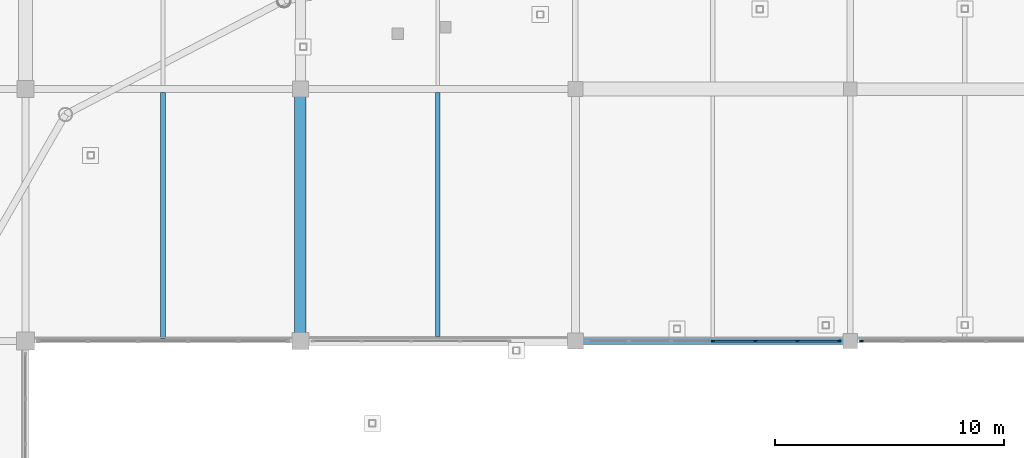
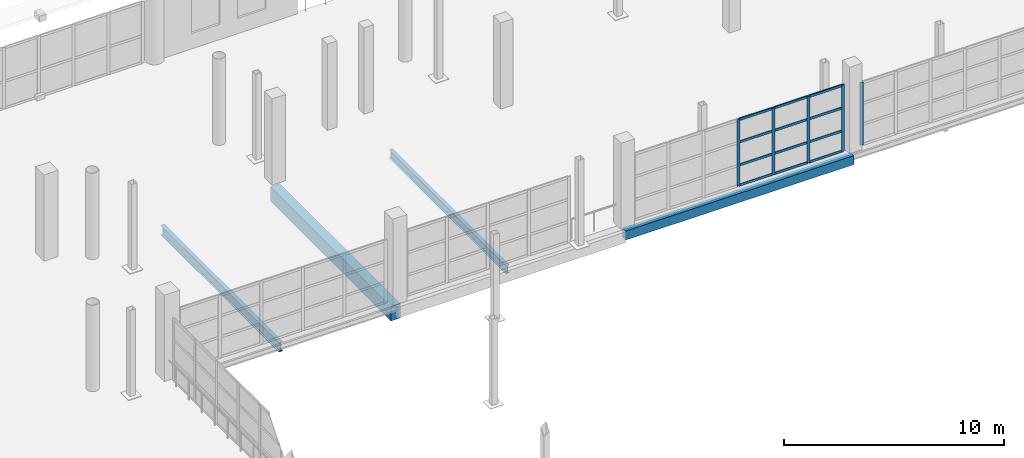
# One storey, part 47 of 143: 17 members, 4 beams, 2 elements without a shape of their own.
"""IFC4 building model written with IfcOpenShell, lengths in metres."""

from ifc_helpers import new_model, si_unit, direction, frame, origin, origin_2d, place, context, subcontext, project, spatial, rectangle, hollow_rectangle, i_section, extrude, material, material_profile, profile_set, type_object, element, aggregate, save


model = new_model("IFC4")

# Units and contexts
model_context = context("Model", 3, precision=1e-05, world=origin(), true_north=direction((0.0, 1.0)))
body_context = subcontext(model_context, "Body", "Model", "MODEL_VIEW")
ifc_project = project(units=[si_unit("LENGTHUNIT", "METRE"), si_unit("AREAUNIT", "SQUARE_METRE"), si_unit("VOLUMEUNIT", "CUBIC_METRE"), si_unit("PLANEANGLEUNIT", "RADIAN"), si_unit("MASSUNIT", "GRAM", prefix="KILO")], contexts=[model_context])

# Site, building, storey
site_placement = place(None, origin())
site = spatial("IfcSite", under=ifc_project, at=site_placement, CompositionType="ELEMENT")
building_placement = place(site_placement, origin())
building = spatial("IfcBuilding", under=site, at=building_placement, Name="Luwafu Chhajja Arena", CompositionType="ELEMENT")
storey_placement = place(building_placement, frame((0.0, 0.0, 5.39990234375)))
storey = spatial("IfcBuildingStorey", under=building, at=storey_placement, Name="L01", CompositionType="ELEMENT", Elevation=5.39990234375)

# Curtain wall, members
ifc_material_1 = material(Name="Anodised bronze aluminium", Category="aluminium")
curtain_wall_type = type_object("IfcCurtainWallType", Name="Bowl Concourse Chord Curtain Wall", PredefinedType="USERDEFINED", material=ifc_material_1)
curtain_wall_1_placement = place(storey_placement, origin())
curtain_wall_1 = element("IfcCurtainWall", 1, at=curtain_wall_1_placement, inside=storey, type_object=curtain_wall_type, Name="L01 Bowl Viewing Curtain Wall CWR-L01-10", ObjectType="CURTAIN WALL", PredefinedType="USERDEFINED")
ifc_material_profile_1 = material_profile(ifc_material_1, rectangle(XDim=0.06005859375, YDim=0.159912109375, at=origin_2d()), Name="CWM 60x160")
ifc_profile_set_1 = profile_set([ifc_material_profile_1], Name="Anodised bronze aluminium")
member_type_1 = type_object("IfcMemberType", Name="Bronze Curtain Wall Mullion 60x160", PredefinedType="MULLION", material=ifc_profile_set_1)
member_1_placement = place(storey_placement, frame((88.012451171875, 77.0, 0.0), z_axis=(0.0, 0.0, 1.0), x_axis=(0.0, 1.0, 0.0)))
member_1 = element("IfcMember", 2, at=member_1_placement, type_object=member_type_1, Name="CW-01 mullion 4", PredefinedType="MULLION", context=body_context, shape_type="SweptSolid", body=[
    extrude(rectangle(XDim=0.06005859375, YDim=0.159912109375, at=origin_2d()), origin(), (0.0, 0.0, 1.0), 3.70654296875),
])
member_2_placement = place(storey_placement, frame((89.853271484375, 77.0, 0.0), z_axis=(0.0, 0.0, 1.0), x_axis=(0.0, 1.0, 0.0)))
member_2 = element("IfcMember", 3, at=member_2_placement, type_object=member_type_1, Name="CW-01 mullion 5", PredefinedType="MULLION", context=body_context, shape_type="SweptSolid", body=[
    extrude(rectangle(XDim=0.06005859375, YDim=0.159912109375, at=origin_2d()), origin(), (0.0, 0.0, 1.0), 3.70654296875),
])
member_3_placement = place(storey_placement, frame((91.694091796875, 77.0, 0.0), z_axis=(0.0, 0.0, 1.0), x_axis=(0.0, 1.0, 0.0)))
member_3 = element("IfcMember", 4, at=member_3_placement, type_object=member_type_1, Name="CW-01 mullion 6", PredefinedType="MULLION", context=body_context, shape_type="SweptSolid", body=[
    extrude(rectangle(XDim=0.06005859375, YDim=0.159912109375, at=origin_2d()), origin(), (0.0, 0.0, 1.0), 3.70654296875),
])
member_4_placement = place(storey_placement, frame((93.5048828125, 77.0, 0.0), z_axis=(0.0, 0.0, 1.0), x_axis=(0.0, 1.0, 0.0)))
member_4 = element("IfcMember", 5, at=member_4_placement, type_object=member_type_1, Name="CW-01 mullion 7", PredefinedType="MULLION", context=body_context, shape_type="SweptSolid", body=[
    extrude(rectangle(XDim=0.06005859375, YDim=0.159912109375, at=origin_2d()), origin(), (0.0, 0.0, 1.0), 3.70654296875),
])

# Curtain wall, member
curtain_wall_2_placement = place(storey_placement, origin())
curtain_wall_2 = element("IfcCurtainWall", 6, at=curtain_wall_2_placement, inside=storey, type_object=curtain_wall_type, Name="L01 Bowl Viewing Curtain Wall CWR-L01-11", ObjectType="CURTAIN WALL", PredefinedType="USERDEFINED")
member_5_placement = place(storey_placement, frame((94.4951171875, 77.0, 0.0), z_axis=(0.0, 0.0, 1.0), x_axis=(0.0, 1.0, 0.0)))
member_5 = element("IfcMember", 7, at=member_5_placement, type_object=member_type_1, Name="CW-01 mullion 1", PredefinedType="MULLION", context=body_context, shape_type="SweptSolid", body=[
    extrude(rectangle(XDim=0.06005859375, YDim=0.159912109375, at=origin_2d()), origin(), (0.0, 0.0, 1.0), 3.489990234375),
])
aggregate(curtain_wall_2, [member_5])

# Member
ifc_material_profile_2 = material_profile(ifc_material_1, rectangle(XDim=0.06005859375, YDim=0.1298828125, at=origin_2d()), Name="CWT 60x130")
ifc_profile_set_2 = profile_set([ifc_material_profile_2], Name="Anodised bronze aluminium")
member_type_2 = type_object("IfcMemberType", Name="Bronze Curtain Wall Transom 60x130", PredefinedType="USERDEFINED", material=ifc_profile_set_2)
member_6_placement = place(storey_placement, frame((88.04248046875, 77.0, 0.030029296875), z_axis=(1.0, 0.0, 0.0), x_axis=(0.0, 1.0, 0.0)))
member_6 = element("IfcMember", 8, at=member_6_placement, type_object=member_type_2, Name="CW-01 transom 4.1", ObjectType="TRANSOM", PredefinedType="USERDEFINED", context=body_context, shape_type="SweptSolid", body=[
    extrude(rectangle(XDim=0.06005859375, YDim=0.1298828125, at=origin_2d()), origin(), (0.0, 0.0, 1.0), 1.78076171875),
])

member_7_placement = place(storey_placement, frame((88.04248046875, 77.0, 1.150146484375), z_axis=(1.0, 0.0, 0.0), x_axis=(0.0, 1.0, 0.0)))
member_7 = element("IfcMember", 9, at=member_7_placement, type_object=member_type_2, Name="CW-01 transom 4.2", ObjectType="TRANSOM", PredefinedType="USERDEFINED", context=body_context, shape_type="SweptSolid", body=[
    extrude(rectangle(XDim=0.06005859375, YDim=0.1298828125, at=origin_2d()), origin(), (0.0, 0.0, 1.0), 1.78076171875),
])

member_8_placement = place(storey_placement, frame((88.04248046875, 77.0, 2.428466796875), z_axis=(1.0, 0.0, 0.0), x_axis=(0.0, 1.0, 0.0)))
member_8 = element("IfcMember", 10, at=member_8_placement, type_object=member_type_2, Name="CW-01 transom 4.3", ObjectType="TRANSOM", PredefinedType="USERDEFINED", context=body_context, shape_type="SweptSolid", body=[
    extrude(rectangle(XDim=0.06005859375, YDim=0.1298828125, at=origin_2d()), origin(), (0.0, 0.0, 1.0), 1.78076171875),
])

member_9_placement = place(storey_placement, frame((88.04248046875, 77.0, 3.676513671875), z_axis=(1.0, 0.0, 0.0), x_axis=(0.0, 1.0, 0.0)))
member_9 = element("IfcMember", 11, at=member_9_placement, type_object=member_type_2, Name="CW-01 transom 4.4", ObjectType="TRANSOM", PredefinedType="USERDEFINED", context=body_context, shape_type="SweptSolid", body=[
    extrude(rectangle(XDim=0.06005859375, YDim=0.1298828125, at=origin_2d()), origin(), (0.0, 0.0, 1.0), 1.78076171875),
])

member_10_placement = place(storey_placement, frame((89.88330078125, 77.0, 0.030029296875), z_axis=(1.0, 0.0, 0.0), x_axis=(0.0, 1.0, 0.0)))
member_10 = element("IfcMember", 12, at=member_10_placement, type_object=member_type_2, Name="CW-01 transom 5.1", ObjectType="TRANSOM", PredefinedType="USERDEFINED", context=body_context, shape_type="SweptSolid", body=[
    extrude(rectangle(XDim=0.06005859375, YDim=0.1298828125, at=origin_2d()), origin(), (0.0, 0.0, 1.0), 1.78076171875),
])

member_11_placement = place(storey_placement, frame((89.88330078125, 77.0, 1.150146484375), z_axis=(1.0, 0.0, 0.0), x_axis=(0.0, 1.0, 0.0)))
member_11 = element("IfcMember", 13, at=member_11_placement, type_object=member_type_2, Name="CW-01 transom 5.2", ObjectType="TRANSOM", PredefinedType="USERDEFINED", context=body_context, shape_type="SweptSolid", body=[
    extrude(rectangle(XDim=0.06005859375, YDim=0.1298828125, at=origin_2d()), origin(), (0.0, 0.0, 1.0), 1.78076171875),
])

member_12_placement = place(storey_placement, frame((89.88330078125, 77.0, 2.428466796875), z_axis=(1.0, 0.0, 0.0), x_axis=(0.0, 1.0, 0.0)))
member_12 = element("IfcMember", 14, at=member_12_placement, type_object=member_type_2, Name="CW-01 transom 5.3", ObjectType="TRANSOM", PredefinedType="USERDEFINED", context=body_context, shape_type="SweptSolid", body=[
    extrude(rectangle(XDim=0.06005859375, YDim=0.1298828125, at=origin_2d()), origin(), (0.0, 0.0, 1.0), 1.78076171875),
])

member_13_placement = place(storey_placement, frame((89.88330078125, 77.0, 3.676513671875), z_axis=(1.0, 0.0, 0.0), x_axis=(0.0, 1.0, 0.0)))
member_13 = element("IfcMember", 15, at=member_13_placement, type_object=member_type_2, Name="CW-01 transom 5.4", ObjectType="TRANSOM", PredefinedType="USERDEFINED", context=body_context, shape_type="SweptSolid", body=[
    extrude(rectangle(XDim=0.06005859375, YDim=0.1298828125, at=origin_2d()), origin(), (0.0, 0.0, 1.0), 1.78076171875),
])

member_14_placement = place(storey_placement, frame((91.72412109375, 77.0, 0.030029296875), z_axis=(1.0, 0.0, 0.0), x_axis=(0.0, 1.0, 0.0)))
member_14 = element("IfcMember", 16, at=member_14_placement, type_object=member_type_2, Name="CW-01 transom 6.1", ObjectType="TRANSOM", PredefinedType="USERDEFINED", context=body_context, shape_type="SweptSolid", body=[
    extrude(rectangle(XDim=0.06005859375, YDim=0.1298828125, at=origin_2d()), origin(), (0.0, 0.0, 1.0), 1.7509765625),
])

member_15_placement = place(storey_placement, frame((91.72412109375, 77.0, 1.150146484375), z_axis=(1.0, 0.0, 0.0), x_axis=(0.0, 1.0, 0.0)))
member_15 = element("IfcMember", 17, at=member_15_placement, type_object=member_type_2, Name="CW-01 transom 6.2", ObjectType="TRANSOM", PredefinedType="USERDEFINED", context=body_context, shape_type="SweptSolid", body=[
    extrude(rectangle(XDim=0.06005859375, YDim=0.1298828125, at=origin_2d()), origin(), (0.0, 0.0, 1.0), 1.7509765625),
])

member_16_placement = place(storey_placement, frame((91.72412109375, 77.0, 2.428466796875), z_axis=(1.0, 0.0, 0.0), x_axis=(0.0, 1.0, 0.0)))
member_16 = element("IfcMember", 18, at=member_16_placement, type_object=member_type_2, Name="CW-01 transom 6.3", ObjectType="TRANSOM", PredefinedType="USERDEFINED", context=body_context, shape_type="SweptSolid", body=[
    extrude(rectangle(XDim=0.06005859375, YDim=0.1298828125, at=origin_2d()), origin(), (0.0, 0.0, 1.0), 1.7509765625),
])

member_17_placement = place(storey_placement, frame((91.72412109375, 77.0, 3.676513671875), z_axis=(1.0, 0.0, 0.0), x_axis=(0.0, 1.0, 0.0)))
member_17 = element("IfcMember", 19, at=member_17_placement, type_object=member_type_2, Name="CW-01 transom 6.4", ObjectType="TRANSOM", PredefinedType="USERDEFINED", context=body_context, shape_type="SweptSolid", body=[
    extrude(rectangle(XDim=0.06005859375, YDim=0.1298828125, at=origin_2d()), origin(), (0.0, 0.0, 1.0), 1.7509765625),
])

aggregate(curtain_wall_1, [member_1, member_2, member_3, member_4, member_6, member_7, member_8, member_9, member_10, member_11, member_12, member_13, member_14, member_15, member_16, member_17])

# Beams
ifc_material_2 = material(Name="Steel S355", Category="steel")
ifc_material_profile_3 = material_profile(ifc_material_2, i_section(OverallWidth=0.19140625, OverallDepth=0.4599609375, WebThickness=0.010009765625, FlangeThickness=0.01611328125, at=origin_2d()), Name="UB 457x191x82")
ifc_profile_set_3 = profile_set([ifc_material_profile_3], Name="Steel S355")
beam_type_1 = type_object("IfcBeamType", Name="Floor Joist UB 457x191x82", PredefinedType="JOIST", material=ifc_profile_set_3)
beam_1_placement = place(storey_placement, frame((76.0, 77.199951171875, -0.559814453125), z_axis=(0.0, 1.0, 0.0), x_axis=(-1.0, 0.0, 0.0)))
element("IfcBeam", 20, at=beam_1_placement, inside=storey, type_object=beam_type_1, Name="L01 Secondary Joist 7-8/H", PredefinedType="JOIST", context=body_context, shape_type="SweptSolid", body=[
    extrude(i_section(OverallWidth=0.19140625, OverallDepth=0.4599609375, WebThickness=0.010009765625, FlangeThickness=0.01611328125, at=origin_2d()), origin(), (0.0, 0.0, 1.0), 10.650146484375),
])
ifc_material_profile_4 = material_profile(ifc_material_2, i_section(OverallWidth=0.209228515625, OverallDepth=0.533203125, WebThickness=0.010009765625, FlangeThickness=0.015625, at=origin_2d()), Name="UB 533x210x92")
ifc_profile_set_4 = profile_set([ifc_material_profile_4], Name="Steel S355")
beam_type_2 = type_object("IfcBeamType", Name="Floor Joist UB 533x210x92", PredefinedType="JOIST", material=ifc_profile_set_4)
beam_2_placement = place(storey_placement, frame((64.0, 77.082763671875, -0.596435546875), z_axis=(0.0, 1.0, 0.0), x_axis=(-1.0, 0.0, 0.0)))
element("IfcBeam", 21, at=beam_2_placement, inside=storey, type_object=beam_type_2, Name="L01 Secondary Joist 6-7/H", PredefinedType="JOIST", context=body_context, shape_type="SweptSolid", body=[
    extrude(i_section(OverallWidth=0.209228515625, OverallDepth=0.533203125, WebThickness=0.010009765625, FlangeThickness=0.015625, at=origin_2d()), origin(), (0.0, 0.0, 1.0), 10.767333984375),
])
ifc_material_3 = material(Name="Concrete C35/45", Category="concrete")
ifc_material_profile_5 = material_profile(ifc_material_3, rectangle(XDim=0.5, YDim=0.800048828125, at=origin_2d()), Name="RC 500x800")
ifc_profile_set_5 = profile_set([ifc_material_profile_5], Name="Concrete C35/45")
beam_type_3 = type_object("IfcBeamType", Name="Hospitality Primary Beam RC 500x800", PredefinedType="BEAM", material=ifc_profile_set_5)
beam_3_placement = place(storey_placement, frame((70.0, 77.0, -0.72998046875), z_axis=(0.0, 1.0, 0.0), x_axis=(-1.0, 0.0, 0.0)))
element("IfcBeam", 22, at=beam_3_placement, inside=storey, type_object=beam_type_3, Name="L01 Grid Beam 7/H-J", PredefinedType="BEAM", context=body_context, shape_type="SweptSolid", body=[
    extrude(rectangle(XDim=0.5, YDim=0.800048828125, at=origin_2d()), origin(), (0.0, 0.0, 1.0), 11.0),
])
ifc_material_profile_6 = material_profile(ifc_material_2, hollow_rectangle(XDim=0.300048828125, YDim=0.5, WallThickness=0.02001953125, at=origin_2d()), Name="RHS 500x300x20")
ifc_profile_set_6 = profile_set([ifc_material_profile_6], Name="Steel S355")
beam_type_4 = type_object("IfcBeamType", Name="Pleated Drum Spandrel Beam RHS 500x300", PredefinedType="SPANDREL", material=ifc_profile_set_6)
beam_4_placement = place(storey_placement, frame((82.0, 77.0, -0.579833984375), z_axis=(1.0, 0.0, 0.0), x_axis=(0.0, 1.0, 0.0)))
element("IfcBeam", 23, at=beam_4_placement, inside=storey, type_object=beam_type_4, Name="L01 Grid Beam 8-9/H", PredefinedType="SPANDREL", context=body_context, shape_type="SweptSolid", body=[
    extrude(hollow_rectangle(XDim=0.300048828125, YDim=0.5, WallThickness=0.02001953125, at=origin_2d()), origin(), (0.0, 0.0, 1.0), 12.0),
])

save(model, "model.ifc")
